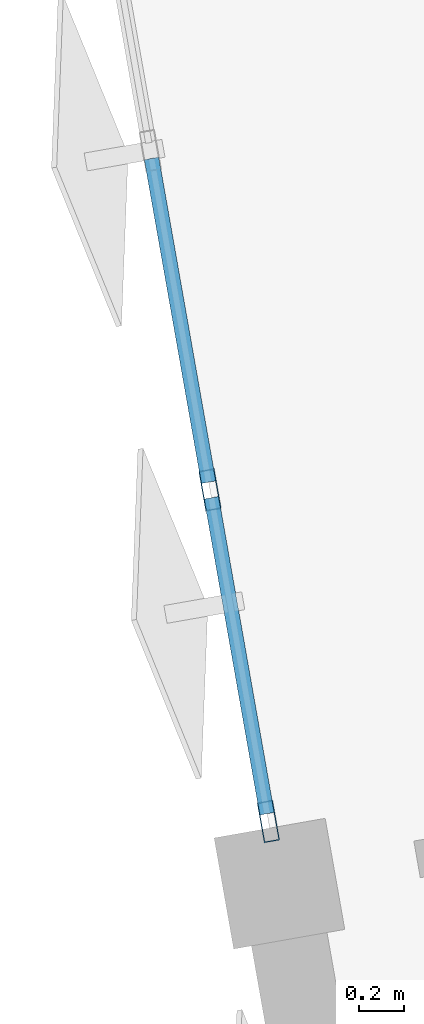
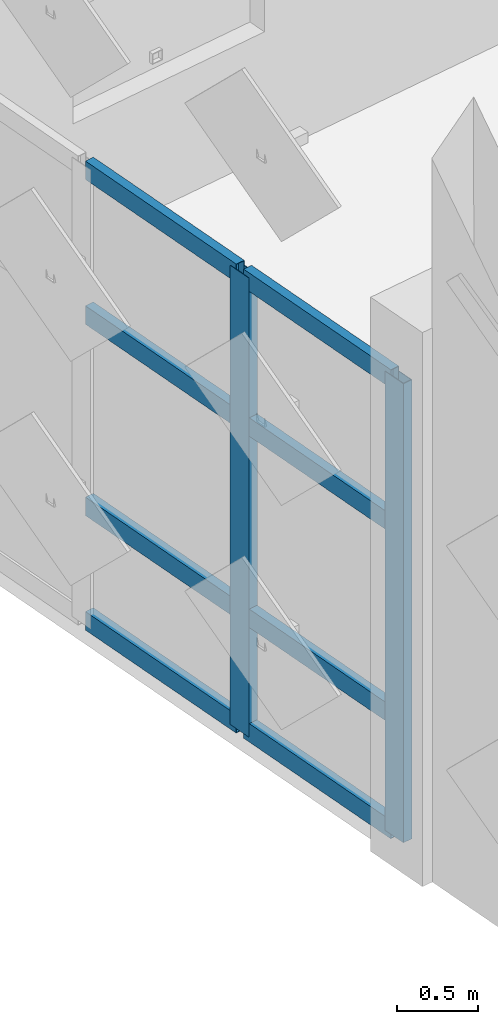
# One storey, part 2 of 11: 10 members, 1 element without a shape of its own.
"""IFC4 building model written with IfcOpenShell, lengths in metres."""

import ifcopenshell
import ifcopenshell.guid

model = None  # the IFC model being written
_history = None  # IfcOwnerHistory: only IFC2X3 demands one
_inside = {}  # id of a spatial element -> (the spatial element, [elements in it])
_under = {}  # id of a project, library or spatial element -> (it, [spatial elements below it])
_declared = {}  # id of a project -> (the project, [libraries it declares])
_typed = {}  # id of a type object -> (the type object, [elements of that type])
_made_of = {}  # id of a material, layer set ... -> (it, [elements and type objects made of it])


def new_model(schema):
    """Start an empty IFC model of exactly this schema.

    Asked for "IFC4X3", IfcOpenShell would pick the latest addendum, in which some entities
    have other attributes; the version numbers below select the first issue.
    IFC2X3 requires an IfcOwnerHistory on every rooted entity: one is made here for all.
    """
    global model, _history
    if schema == "IFC4X3":
        model = ifcopenshell.file(schema_version=(4, 3, 0, 0))
    else:
        model = ifcopenshell.file(schema=schema)
    _inside.clear()
    _under.clear()
    _declared.clear()
    _typed.clear()
    _made_of.clear()
    _history = None
    if model.schema == "IFC2X3":
        org = make("IfcOrganization", Name="unknown")
        user = make(
            "IfcPersonAndOrganization",
            ThePerson=make("IfcPerson", FamilyName="unknown"),
            TheOrganization=org,
        )
        app = make(
            "IfcApplication",
            ApplicationDeveloper=org,
            Version="unknown",
            ApplicationFullName="unknown",
            ApplicationIdentifier="unknown",
        )
        _history = make(
            "IfcOwnerHistory",
            OwningUser=user,
            OwningApplication=app,
            ChangeAction="ADDED",
            CreationDate=0,
        )
    return model


def make(cls, **values):
    """One entity of the class cls with the attributes given. An attribute that is None is left unset."""
    return model.create_entity(
        cls, **{name: value for name, value in values.items() if value is not None}
    )


def rooted(cls, **values):
    """An entity with a GlobalId (a new one), such as an element, a storey or a relation."""
    return make(cls, GlobalId=ifcopenshell.guid.new(), OwnerHistory=_history, **values)


def si_unit(unit_type, name, prefix=None):
    """IfcSIUnit, for example si_unit("LENGTHUNIT", "METRE", prefix="MILLI")."""
    return make("IfcSIUnit", UnitType=unit_type, Prefix=prefix, Name=name)


def assignment(units):
    """IfcUnitAssignment: the units of a project."""
    return None if units is None else make("IfcUnitAssignment", Units=units)


def point(xyz):
    """IfcCartesianPoint."""
    return None if xyz is None else make("IfcCartesianPoint", Coordinates=xyz)


def direction(xyz):
    """IfcDirection."""
    return None if xyz is None else make("IfcDirection", DirectionRatios=xyz)


def frame(location, z_axis=None, x_axis=None):
    """IfcAxis2Placement3D, a coordinate frame: its origin and axes. An axis left out is left unset."""
    return make(
        "IfcAxis2Placement3D",
        Location=point(location),
        Axis=direction(z_axis),
        RefDirection=direction(x_axis),
    )


def frame_2d(location, x_axis=None):
    """IfcAxis2Placement2D, a coordinate frame in the plane: its origin and x axis."""
    return make(
        "IfcAxis2Placement2D", Location=point(location), RefDirection=direction(x_axis)
    )


def origin():
    """The frame at (0, 0, 0) with its axes left unset."""
    return frame((0.0, 0.0, 0.0))


def origin_2d():
    """The frame at (0, 0) in the plane with its x axis left unset."""
    return frame_2d((0.0, 0.0))


def place(relative_to, where):
    """IfcLocalPlacement: puts the frame where relative to a parent placement (None: the world)."""
    return make(
        "IfcLocalPlacement", PlacementRelTo=relative_to, RelativePlacement=where
    )


def context(
    kind, dimensions, precision=None, world=None, true_north=None, identifier=None
):
    """IfcGeometricRepresentationContext, for example the 3D "Model" context."""
    return make(
        "IfcGeometricRepresentationContext",
        ContextIdentifier=identifier,
        ContextType=kind,
        CoordinateSpaceDimension=dimensions,
        Precision=precision,
        WorldCoordinateSystem=world,
        TrueNorth=true_north,
    )


def subcontext(parent, identifier, kind, view, scale=None):
    """IfcGeometricRepresentationSubContext, for example "Body" below "Model"."""
    return make(
        "IfcGeometricRepresentationSubContext",
        ContextIdentifier=identifier,
        ContextType=kind,
        ParentContext=parent,
        TargetScale=scale,
        TargetView=view,
    )


def project(units=None, contexts=None):
    """IfcProject with its units and contexts."""
    return rooted(
        "IfcProject",
        Name="project",
        RepresentationContexts=contexts,
        UnitsInContext=assignment(units),
    )


def spatial(cls, under=None, at=None, **own):
    """A site, building, storey or space (cls), placed at a placement, below another one or the project."""
    s = rooted(cls, ObjectPlacement=at, **own)
    if under is not None:
        _under.setdefault(under.id(), (under, []))[1].append(s)
    return s


def profile(cls, at=None, kind="AREA", **sizes):
    """A parametric profile (cls). Its sizes go by their IFC names, for example OverallWidth=200.0."""
    return make(cls, ProfileType=kind, Position=at, **sizes)


def hollow_rectangle(**sizes):
    """IfcRectangleHollowProfileDef."""
    return profile("IfcRectangleHollowProfileDef", **sizes)


def extrude(swept, where, along, depth):
    """IfcExtrudedAreaSolid: the profile swept, set in the frame where, extruded along a direction by depth."""
    return make(
        "IfcExtrudedAreaSolid",
        SweptArea=swept,
        Position=where,
        ExtrudedDirection=direction(along),
        Depth=depth,
    )


def shape(context_of_items, identifier, shape_type, items):
    """IfcShapeRepresentation: the items that make up one representation, for example the "Body"."""
    return make(
        "IfcShapeRepresentation",
        ContextOfItems=context_of_items,
        RepresentationIdentifier=identifier,
        RepresentationType=shape_type,
        Items=items,
    )


def material(Name=None, Category=None):
    """IfcMaterial."""
    return make("IfcMaterial", Name=Name, Category=Category)


def layer(
    of_material, thickness, ventilated=None, Name=None, Category=None, Priority=None
):
    """IfcMaterialLayer: one layer of a wall or slab, of a material (None: an air gap)."""
    return make(
        "IfcMaterialLayer",
        Material=of_material,
        LayerThickness=thickness,
        IsVentilated=ventilated,
        Name=Name,
        Category=Category,
        Priority=Priority,
    )


def layer_set(layers, Name=None):
    """IfcMaterialLayerSet."""
    return make("IfcMaterialLayerSet", MaterialLayers=layers, LayerSetName=Name)


def material_profile(
    of_material, cross_section, Name=None, Category=None, Priority=None
):
    """IfcMaterialProfile: a cross section and its material."""
    return make(
        "IfcMaterialProfile",
        Name=Name,
        Material=of_material,
        Profile=cross_section,
        Priority=Priority,
        Category=Category,
    )


def profile_set(profiles, Name=None, composite=None):
    """IfcMaterialProfileSet."""
    return make(
        "IfcMaterialProfileSet",
        Name=Name,
        MaterialProfiles=profiles,
        CompositeProfile=composite,
    )


def made_of(thing, what):
    """Note that an element or type object is made of a material, layer set ...; save() writes the relation."""
    if what is not None:
        _made_of.setdefault(what.id(), (what, []))[1].append(thing)
    return thing


def type_object(cls, material=None, **own):
    """A type object (cls), such as IfcWallType, which elements share."""
    return made_of(rooted(cls, **own), material)


def element(
    cls,
    number,
    at=None,
    inside=None,
    cuts=None,
    type_object=None,
    material=None,
    context=None,
    identifier="Body",
    shape_type=None,
    held_by="IfcProductDefinitionShape",
    body=None,
    shapes=None,
    **own,
):
    """One element of the class cls, such as IfcWall. Its Tag is "e" and its number.

    at: its placement. inside: the storey or other place that contains it. cuts: it is an
    opening in that element (IfcRelVoidsElement). A single representation is given by context,
    identifier, shape_type and body (its items); several are given by shapes. held_by: the class
    of the entity that holds the representations. save() writes the other relations.
    """
    e = rooted(cls, Tag="e%d" % number, ObjectPlacement=at, **own)
    if body is not None:
        shapes = [shape(context, identifier, shape_type, body)]
    if shapes is not None:
        e.Representation = make(held_by, Representations=shapes)
    if inside is not None:
        _inside.setdefault(inside.id(), (inside, []))[1].append(e)
    if cuts is not None:
        rooted(
            "IfcRelVoidsElement", RelatingBuildingElement=cuts, RelatedOpeningElement=e
        )
    if type_object is not None:
        _typed.setdefault(type_object.id(), (type_object, []))[1].append(e)
    return made_of(e, material)


def aggregate(whole, parts):
    """IfcRelAggregates: a whole, such as a stair, and the parts it consists of."""
    return rooted("IfcRelAggregates", RelatingObject=whole, RelatedObjects=parts)


def save(model, path):
    """Write the relations noted so far, then the file.

    IfcRelAggregates (storeys below a building ...), IfcRelContainedInSpatialStructure (elements
    in a storey), IfcRelDefinesByType, IfcRelAssociatesMaterial and IfcRelDeclares: one each for
    every whole, place, type object, material and project.
    """
    for whole, parts in _under.values():
        aggregate(whole, parts)
    for where, things in _inside.values():
        rooted(
            "IfcRelContainedInSpatialStructure",
            RelatedElements=things,
            RelatingStructure=where,
        )
    for kind, things in _typed.values():
        rooted("IfcRelDefinesByType", RelatedObjects=things, RelatingType=kind)
    for what, things in _made_of.values():
        rooted("IfcRelAssociatesMaterial", RelatedObjects=things, RelatingMaterial=what)
    for by, libraries in _declared.values():
        rooted("IfcRelDeclares", RelatingContext=by, RelatedDefinitions=libraries)
    model.write(path)


model = new_model("IFC4")

# Units and contexts
model_context = context("Model", 3, precision=1e-05, world=origin(), true_north=direction((0.0, 1.0)))
body_context = subcontext(model_context, "Body", "Model", "MODEL_VIEW")
ifc_project = project(units=[si_unit("LENGTHUNIT", "METRE"), si_unit("AREAUNIT", "SQUARE_METRE"), si_unit("VOLUMEUNIT", "CUBIC_METRE"), si_unit("PLANEANGLEUNIT", "RADIAN"), si_unit("MASSUNIT", "GRAM", prefix="KILO")], contexts=[model_context])

# Site, building, storey
site_placement = place(None, origin())
site = spatial("IfcSite", under=ifc_project, at=site_placement, CompositionType="ELEMENT")
building_placement = place(site_placement, origin())
building = spatial("IfcBuilding", under=site, at=building_placement, Name="Kharisveld Research Institute", CompositionType="ELEMENT")
storey_placement = place(building_placement, frame((0.0, 0.0, 49.199951171875)))
storey = spatial("IfcBuildingStorey", under=building, at=storey_placement, Name="L11", CompositionType="ELEMENT", Elevation=49.199951171875)

# Curtain wall, members
ifc_material_1 = material(Name="Thermally Broken Aluminium Curtain Wall", Category="aluminium")
ifc_layer = layer(ifc_material_1, 0.159912109375)
ifc_layer_set = layer_set([ifc_layer], Name="CW_SYS_03")
curtain_wall_type = type_object("IfcCurtainWallType", Name="CW_SYS_03", PredefinedType="NOTDEFINED", material=ifc_layer_set)
curtain_wall_placement = place(storey_placement, origin())
curtain_wall = element("IfcCurtainWall", 1, at=curtain_wall_placement, inside=storey, type_object=curtain_wall_type, Name="CW:V1:L11:W2", PredefinedType="NOTDEFINED")
ifc_material_2 = material(Name="Anodised Aluminium AW-6063-T6", Category="aluminium")
ifc_material_profile_1 = material_profile(ifc_material_2, hollow_rectangle(XDim=0.070068359375, YDim=0.179931640625, WallThickness=0.00439453125, at=origin_2d()))
ifc_profile_set_1 = profile_set([ifc_material_profile_1], Name="Anodised Aluminium AW-6063-T6")
member_type_1 = type_object("IfcMemberType", Name="CW_MUL_180", PredefinedType="MULLION", material=ifc_profile_set_1)
member_1_placement = place(storey_placement, frame((2.859130859375, 48.28515625, 0.0), z_axis=(0.0, 0.0, 1.0), x_axis=(-0.984807766347, -0.173648102039, 0.0)))
member_1 = element("IfcMember", 2, at=member_1_placement, type_object=member_type_1, Name="CW-03 mullion 1", PredefinedType="MULLION", context=body_context, shape_type="SweptSolid", body=[
    extrude(hollow_rectangle(XDim=0.070068359375, YDim=0.179931640625, WallThickness=0.00439453125, at=origin_2d()), origin(), (0.0, 0.0, 1.0), 3.47998046875),
])
member_2_placement = place(storey_placement, frame((2.60009765625, 49.755126953125, 0.0), z_axis=(0.0, 0.0, 1.0), x_axis=(-0.984807766347, -0.173648102039, 0.0)))
member_2 = element("IfcMember", 3, at=member_2_placement, type_object=member_type_1, Name="CW-03 mullion 2", PredefinedType="MULLION", context=body_context, shape_type="SweptSolid", body=[
    extrude(hollow_rectangle(XDim=0.070068359375, YDim=0.179931640625, WallThickness=0.00439453125, at=origin_2d()), origin(), (0.0, 0.0, 1.0), 3.47998046875),
])
ifc_material_3 = material(Name="Anodised Aluminium AW-6063-T6", Category="aluminium")
ifc_material_profile_2 = material_profile(ifc_material_3, hollow_rectangle(XDim=0.06494140625, YDim=0.139892578125, WallThickness=0.00390625, at=origin_2d()))
ifc_profile_set_2 = profile_set([ifc_material_profile_2], Name="Anodised Aluminium AW-6063-T6")
member_type_2 = type_object("IfcMemberType", Name="CW_TRN_140", PredefinedType="USERDEFINED", material=ifc_profile_set_2)
member_3_placement = place(storey_placement, frame((2.85302734375, 48.319580078125, 0.032470703125), z_axis=(-0.173520966746, 0.984830175258, 0.0), x_axis=(-0.984830175258, -0.173520966746, 0.0)))
member_3 = element("IfcMember", 4, at=member_3_placement, type_object=member_type_2, Name="CW-03 transom 1.1", ObjectType="TRANSOM", PredefinedType="USERDEFINED", context=body_context, shape_type="SweptSolid", body=[
    extrude(hollow_rectangle(XDim=0.06494140625, YDim=0.139892578125, WallThickness=0.00390625, at=origin_2d()), origin(), (0.0, 0.0, 1.0), 1.42236328125),
])
member_4_placement = place(storey_placement, frame((2.85302734375, 48.319580078125, 0.900146484375), z_axis=(-0.173520966746, 0.984830175258, 0.0), x_axis=(-0.984830175258, -0.173520966746, 0.0)))
member_4 = element("IfcMember", 5, at=member_4_placement, type_object=member_type_2, Name="CW-03 transom 1.2", ObjectType="TRANSOM", PredefinedType="USERDEFINED", context=body_context, shape_type="SweptSolid", body=[
    extrude(hollow_rectangle(XDim=0.06494140625, YDim=0.139892578125, WallThickness=0.00390625, at=origin_2d()), origin(), (0.0, 0.0, 1.0), 1.42236328125),
])
member_5_placement = place(storey_placement, frame((2.85302734375, 48.319580078125, 2.35009765625), z_axis=(-0.173520966746, 0.984830175258, 0.0), x_axis=(-0.984830175258, -0.173520966746, 0.0)))
member_5 = element("IfcMember", 6, at=member_5_placement, type_object=member_type_2, Name="CW-03 transom 1.3", ObjectType="TRANSOM", PredefinedType="USERDEFINED", context=body_context, shape_type="SweptSolid", body=[
    extrude(hollow_rectangle(XDim=0.06494140625, YDim=0.139892578125, WallThickness=0.00390625, at=origin_2d()), origin(), (0.0, 0.0, 1.0), 1.42236328125),
])
member_6_placement = place(storey_placement, frame((2.85302734375, 48.319580078125, 3.447509765625), z_axis=(-0.173520966746, 0.984830175258, 0.0), x_axis=(-0.984830175258, -0.173520966746, 0.0)))
member_6 = element("IfcMember", 7, at=member_6_placement, type_object=member_type_2, Name="CW-03 transom 1.4", ObjectType="TRANSOM", PredefinedType="USERDEFINED", context=body_context, shape_type="SweptSolid", body=[
    extrude(hollow_rectangle(XDim=0.06494140625, YDim=0.139892578125, WallThickness=0.00390625, at=origin_2d()), origin(), (0.0, 0.0, 1.0), 1.42236328125),
])
member_7_placement = place(storey_placement, frame((2.593994140625, 49.78955078125, 0.032470703125), z_axis=(-0.173708885422, 0.984797046668, 0.0), x_axis=(-0.984797046668, -0.173708885422, 0.0)))
member_7 = element("IfcMember", 8, at=member_7_placement, type_object=member_type_2, Name="CW-03 transom 2.1", ObjectType="TRANSOM", PredefinedType="USERDEFINED", context=body_context, shape_type="SweptSolid", body=[
    extrude(hollow_rectangle(XDim=0.06494140625, YDim=0.139892578125, WallThickness=0.00390625, at=origin_2d()), origin(), (0.0, 0.0, 1.0), 1.45751953125),
])
member_8_placement = place(storey_placement, frame((2.593994140625, 49.78955078125, 0.900146484375), z_axis=(-0.173708885422, 0.984797046668, 0.0), x_axis=(-0.984797046668, -0.173708885422, 0.0)))
member_8 = element("IfcMember", 9, at=member_8_placement, type_object=member_type_2, Name="CW-03 transom 2.2", ObjectType="TRANSOM", PredefinedType="USERDEFINED", context=body_context, shape_type="SweptSolid", body=[
    extrude(hollow_rectangle(XDim=0.06494140625, YDim=0.139892578125, WallThickness=0.00390625, at=origin_2d()), origin(), (0.0, 0.0, 1.0), 1.45751953125),
])
member_9_placement = place(storey_placement, frame((2.593994140625, 49.78955078125, 2.35009765625), z_axis=(-0.173708885422, 0.984797046668, 0.0), x_axis=(-0.984797046668, -0.173708885422, 0.0)))
member_9 = element("IfcMember", 10, at=member_9_placement, type_object=member_type_2, Name="CW-03 transom 2.3", ObjectType="TRANSOM", PredefinedType="USERDEFINED", context=body_context, shape_type="SweptSolid", body=[
    extrude(hollow_rectangle(XDim=0.06494140625, YDim=0.139892578125, WallThickness=0.00390625, at=origin_2d()), origin(), (0.0, 0.0, 1.0), 1.45751953125),
])
member_10_placement = place(storey_placement, frame((2.593994140625, 49.78955078125, 3.447509765625), z_axis=(-0.173708885422, 0.984797046668, 0.0), x_axis=(-0.984797046668, -0.173708885422, 0.0)))
member_10 = element("IfcMember", 11, at=member_10_placement, type_object=member_type_2, Name="CW-03 transom 2.4", ObjectType="TRANSOM", PredefinedType="USERDEFINED", context=body_context, shape_type="SweptSolid", body=[
    extrude(hollow_rectangle(XDim=0.06494140625, YDim=0.139892578125, WallThickness=0.00390625, at=origin_2d()), origin(), (0.0, 0.0, 1.0), 1.45751953125),
])
aggregate(curtain_wall, [member_1, member_2, member_3, member_4, member_5, member_6, member_7, member_8, member_9, member_10])

save(model, "model.ifc")
